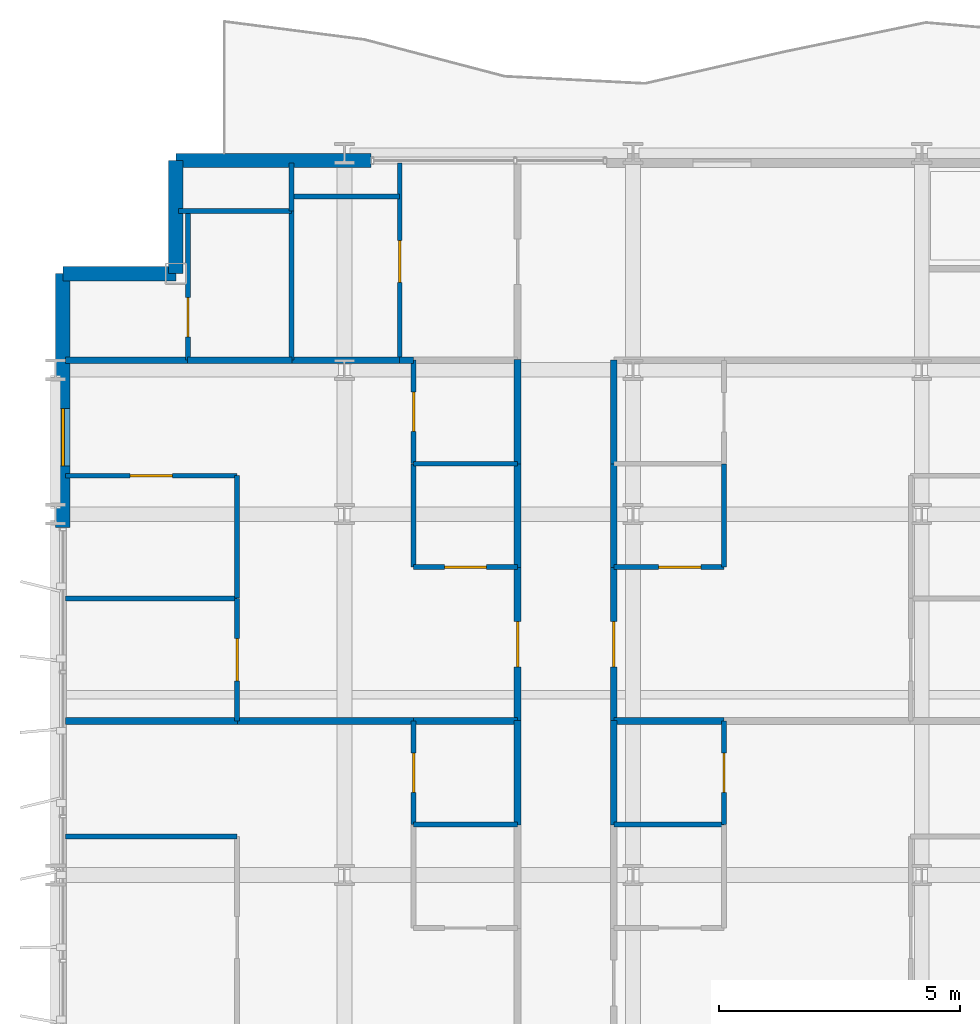
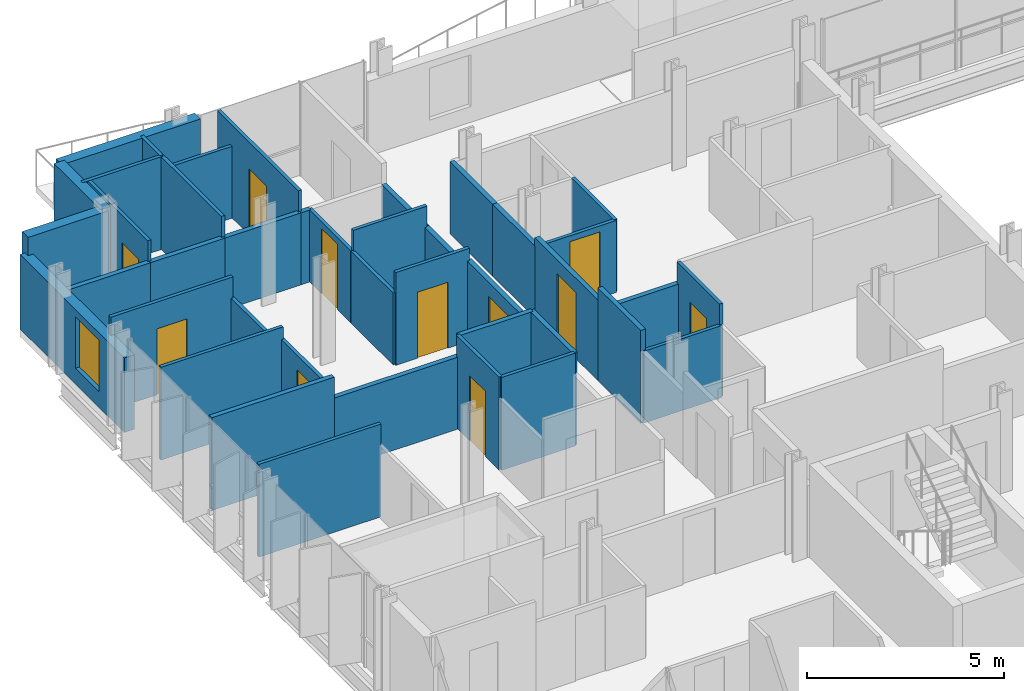
# One storey, part 29 of 39: 41 walls, 11 doors, 1 window, 12 openings.
"""IFC4 building model written with IfcOpenShell, lengths in metres."""

from ifc_helpers import new_model, si_unit, direction, frame, frame_2d, origin, place, context, subcontext, project, spatial, rectangle, extrude, material, layer, layer_set, type_object, element, fill, save


model = new_model("IFC4")

# Units and contexts
model_context = context("Model", 3, precision=1e-05, world=origin(), true_north=direction((0.0, 1.0)))
body_context = subcontext(model_context, "Body", "Model", "MODEL_VIEW")
ifc_project = project(units=[si_unit("LENGTHUNIT", "METRE"), si_unit("AREAUNIT", "SQUARE_METRE"), si_unit("VOLUMEUNIT", "CUBIC_METRE"), si_unit("PLANEANGLEUNIT", "RADIAN"), si_unit("MASSUNIT", "GRAM", prefix="KILO")], contexts=[model_context])

# Site, building, storey
site_placement = place(None, origin())
site = spatial("IfcSite", under=ifc_project, at=site_placement, CompositionType="ELEMENT")
building_placement = place(site_placement, origin())
building = spatial("IfcBuilding", under=site, at=building_placement, Name="Brevholm Reach", CompositionType="ELEMENT")
storey_placement = place(building_placement, frame((0.0, 0.0, 77.60009765625)))
storey = spatial("IfcBuildingStorey", under=building, at=storey_placement, Name="L22", CompositionType="ELEMENT", Elevation=77.60009765625)

# Walls
ifc_material_1 = material(Name="Concrete C40/50", Category="concrete")
ifc_layer_1 = layer(ifc_material_1, 0.300048828125)
ifc_layer_set_1 = layer_set([ifc_layer_1], Name="Concrete C40/50")
wall_type_1 = type_object("IfcWallType", Name="WAL-EXT-300", PredefinedType="STANDARD", material=ifc_layer_set_1)
for number, where, z_axis, x_axis, name in (
    (1, (2.5, 30.85009765625, 0.0), (0.0, 0.0, 1.0), (0.0, -1.0, 0.0), "L22 Facade Wall WAL-L22-CNW1"),
    (2, (2.5, 28.5, 0.0), (0.0, 0.0, 1.0), (-1.0, 0.0, 0.0), "L22 Facade Wall WAL-L22-CNW2"),
):
    element("IfcWall", number, at=place(storey_placement, frame(where, z_axis=z_axis, x_axis=x_axis)), inside=storey, type_object=wall_type_1, Name=name, PredefinedType="STANDARD", context=body_context, shape_type="SweptSolid", body=[
        extrude(rectangle(XDim=2.35009765625, YDim=0.300048828125, at=frame_2d((1.175048828125, 0.0))), origin(), (0.0, 0.0, 1.0), 2.869873046875),
    ])

# Wall, opening, window
wall_1_placement = place(storey_placement, frame((0.14990234375, 28.5, 0.0), z_axis=(0.0, 0.0, 1.0), x_axis=(0.0, -1.0, 0.0)))
wall_1 = element("IfcWall", 3, at=wall_1_placement, inside=storey, type_object=wall_type_1, Name="L22 Facade Wall WAL-L22-W-N", PredefinedType="STANDARD", context=body_context, shape_type="SweptSolid", body=[
    extrude(rectangle(XDim=5.280029296875, YDim=0.300048828125, at=frame_2d((2.64013671875, 0.0))), origin(), (0.0, 0.0, 1.0), 2.305419921875),
])
opening_1_placement = place(wall_1_placement, frame((2.800048828125, 0.0, 0.486083984375)))
opening_1 = element("IfcOpeningElement", 4, at=opening_1_placement, cuts=wall_1, Name="Opening WN-08", PredefinedType="OPENING", context=body_context, shape_type="SweptSolid", body=[
    extrude(rectangle(XDim=1.199951171875, YDim=1.60009765625, at=frame_2d((0.60009765625, 0.800048828125))), frame((0.0, 0.159912109375, 0.0), z_axis=(0.0, -1.0, 0.0), x_axis=(1.0, 0.0, 0.0)), (0.0, 0.0, 1.0), 0.320068359375),
])
ifc_material_2 = material(Name="Dark Anodised Aluminium and Solar-Control IGU Glass", Category="aluminium")
window_type = type_object("IfcWindowType", Name="WIN-RES-1200", PartitioningType="SINGLE_PANEL", PredefinedType="WINDOW", material=ifc_material_2)
window_placement = place(opening_1_placement, origin())
window = element("IfcWindow", 5, at=window_placement, inside=storey, type_object=window_type, Name="L22 Window WIN-L22-WN-1", OverallHeight=1.60009765625, OverallWidth=1.199951171875, PartitioningType="SINGLE_PANEL", PredefinedType="WINDOW", context=body_context, shape_type="SweptSolid", body=[
    extrude(rectangle(XDim=1.199951171875, YDim=1.60009765625, at=frame_2d((0.60009765625, 0.800048828125))), frame((0.0, 0.030029296875, 0.0), z_axis=(0.0, -1.0, 0.0), x_axis=(1.0, 0.0, 0.0)), (0.0, 0.0, 1.0), 0.06005859375),
])
fill(opening_1, window)

# Walls
wall_2_placement = place(storey_placement, frame((2.5, 30.85009765625, 0.0), z_axis=(0.0, 0.0, 1.0), x_axis=(1.0, 0.0, 0.0)))
element("IfcWall", 6, at=wall_2_placement, inside=storey, type_object=wall_type_1, Name="L22 Facade Wall WAL-L22-NP-W0", PredefinedType="STANDARD", context=body_context, shape_type="SweptSolid", body=[
    extrude(rectangle(XDim=4.050048828125, YDim=0.300048828125, at=frame_2d((2.02490234375, 0.0))), origin(), (0.0, 0.0, 1.0), 2.869873046875),
])
ifc_material_3 = material(Name="Moisture-Resistant Acoustic Gypsum Stud Partition 100 mm", Category="gypsum")
ifc_layer_2 = layer(ifc_material_3, 0.10009765625)
ifc_layer_set_2 = layer_set([ifc_layer_2], Name="Moisture-Resistant Acoustic Gypsum Stud Partition 100 mm")
wall_type_2 = type_object("IfcWallType", Name="WAL-PRT-100", PredefinedType="PARTITIONING", material=ifc_layer_set_2)
wall_3_placement = place(storey_placement, frame((7.43798828125, 17.050048828125, 0.0), z_axis=(0.0, 0.0, 1.0), x_axis=(1.0, 0.0, 0.0)))
element("IfcWall", 7, at=wall_3_placement, inside=storey, type_object=wall_type_2, Name="L22 Internal Partition 091", PredefinedType="PARTITIONING", context=body_context, shape_type="SweptSolid", body=[
    extrude(rectangle(XDim=2.157958984375, YDim=0.10009765625, at=frame_2d((1.0791015625, 0.0))), origin(), (0.0, 0.0, 1.0), 2.869873046875),
])

# Wall, opening, door
wall_4_placement = place(storey_placement, frame((7.43798828125, 17.050048828125, 0.0), z_axis=(0.0, 0.0, 1.0), x_axis=(0.0, 1.0, 0.0)))
wall_4 = element("IfcWall", 8, at=wall_4_placement, inside=storey, type_object=wall_type_2, Name="L22 Internal Partition 092", PredefinedType="PARTITIONING", context=body_context, shape_type="SweptSolid", body=[
    extrude(rectangle(XDim=2.14990234375, YDim=0.10009765625, at=frame_2d((1.074951171875, 0.0))), origin(), (0.0, 0.0, 1.0), 2.869873046875),
])
opening_2_placement = place(wall_4_placement, frame((0.6650390625, 0.0, 0.0)))
opening_2 = element("IfcOpeningElement", 9, at=opening_2_placement, cuts=wall_4, Name="Opening ID-03", PredefinedType="OPENING", context=body_context, shape_type="SweptSolid", body=[
    extrude(rectangle(XDim=0.820068359375, YDim=2.02001953125, at=frame_2d((0.41015625, 1.010009765625))), frame((0.0, 0.06005859375, 0.0), z_axis=(0.0, -1.0, 0.0), x_axis=(1.0, 0.0, 0.0)), (0.0, 0.0, 1.0), 0.1201171875),
])
ifc_material_4 = material(Name="Moisture-Resistant Painted Timber Internal Bathroom Door", Category="wood")
door_type_1 = type_object("IfcDoorType", Name="DOR-BATH-820", OperationType="NOTDEFINED", PredefinedType="DOOR", material=ifc_material_4)
door_1_placement = place(opening_2_placement, origin())
door_1 = element("IfcDoor", 10, at=door_1_placement, inside=storey, type_object=door_type_1, Name="L22 Internal Door 036", OperationType="SINGLE_SWING_LEFT", OverallHeight=2.02001953125, OverallWidth=0.820068359375, PredefinedType="DOOR", context=body_context, shape_type="SweptSolid", body=[
    extrude(rectangle(XDim=0.820068359375, YDim=2.02001953125, at=frame_2d((0.41015625, 1.010009765625))), frame((0.0, 0.02490234375, 0.0), z_axis=(0.0, -1.0, 0.0), x_axis=(1.0, 0.0, 0.0)), (0.0, 0.0, 1.0), 0.050048828125),
])
fill(opening_2, door_1)

# Walls
wall_5_placement = place(storey_placement, frame((0.199951171875, 16.800048828125, 0.0), z_axis=(0.0, 0.0, 1.0), x_axis=(1.0, 0.0, 0.0)))
element("IfcWall", 11, at=wall_5_placement, inside=storey, type_object=wall_type_2, Name="L22 Internal Partition 097", PredefinedType="PARTITIONING", context=body_context, shape_type="SweptSolid", body=[
    extrude(rectangle(XDim=3.572021484375, YDim=0.10009765625, at=frame_2d((1.7861328125, 0.0))), origin(), (0.0, 0.0, 1.0), 2.869873046875),
])
wall_6_placement = place(storey_placement, frame((7.43798828125, 24.550048828125, 0.0), z_axis=(0.0, 0.0, 1.0), x_axis=(1.0, 0.0, 0.0)))
element("IfcWall", 12, at=wall_6_placement, inside=storey, type_object=wall_type_2, Name="L22 Internal Partition 100", PredefinedType="PARTITIONING", context=body_context, shape_type="SweptSolid", body=[
    extrude(rectangle(XDim=2.157958984375, YDim=0.10009765625, at=frame_2d((1.0791015625, 0.0))), origin(), (0.0, 0.0, 1.0), 2.869873046875),
])

# Wall, opening, door
wall_7_placement = place(storey_placement, frame((7.43798828125, 24.550048828125, 0.0), z_axis=(0.0, 0.0, 1.0), x_axis=(0.0, 1.0, 0.0)))
wall_7 = element("IfcWall", 13, at=wall_7_placement, inside=storey, type_object=wall_type_2, Name="L22 Internal Partition 101", PredefinedType="PARTITIONING", context=body_context, shape_type="SweptSolid", body=[
    extrude(rectangle(XDim=2.14990234375, YDim=0.10009765625, at=frame_2d((1.074951171875, 0.0))), origin(), (0.0, 0.0, 1.0), 2.224609375),
])
opening_3_placement = place(wall_7_placement, frame((0.6650390625, 0.0, 0.0)))
opening_3 = element("IfcOpeningElement", 14, at=opening_3_placement, cuts=wall_7, Name="Opening ID-03", PredefinedType="OPENING", context=body_context, shape_type="SweptSolid", body=[
    extrude(rectangle(XDim=0.820068359375, YDim=2.02001953125, at=frame_2d((0.41015625, 1.010009765625))), frame((0.0, 0.06005859375, 0.0), z_axis=(0.0, -1.0, 0.0), x_axis=(1.0, 0.0, 0.0)), (0.0, 0.0, 1.0), 0.1201171875),
])
door_2_placement = place(opening_3_placement, origin())
door_2 = element("IfcDoor", 15, at=door_2_placement, inside=storey, type_object=door_type_1, Name="L22 Internal Door 039", OperationType="SINGLE_SWING_RIGHT", OverallHeight=2.02001953125, OverallWidth=0.820068359375, PredefinedType="DOOR", context=body_context, shape_type="SweptSolid", body=[
    extrude(rectangle(XDim=0.820068359375, YDim=2.02001953125, at=frame_2d((0.41015625, 1.010009765625))), frame((0.0, 0.02490234375, 0.0), z_axis=(0.0, -1.0, 0.0), x_axis=(1.0, 0.0, 0.0)), (0.0, 0.0, 1.0), 0.050048828125),
])
fill(opening_3, door_2)

wall_8_placement = place(storey_placement, frame((7.43798828125, 22.39990234375, 0.0), z_axis=(0.0, 0.0, 1.0), x_axis=(1.0, 0.0, 0.0)))
wall_8 = element("IfcWall", 16, at=wall_8_placement, inside=storey, type_object=wall_type_2, Name="L22 Internal Partition 103", PredefinedType="PARTITIONING", context=body_context, shape_type="SweptSolid", body=[
    extrude(rectangle(XDim=2.157958984375, YDim=0.10009765625, at=frame_2d((1.0791015625, 0.0))), origin(), (0.0, 0.0, 1.0), 2.869873046875),
])
opening_4_placement = place(wall_8_placement, frame((0.638916015625, 0.0, 0.0)))
opening_4 = element("IfcOpeningElement", 17, at=opening_4_placement, cuts=wall_8, Name="Opening ID-01", PredefinedType="OPENING", context=body_context, shape_type="SweptSolid", body=[
    extrude(rectangle(XDim=0.8798828125, YDim=2.0400390625, at=frame_2d((0.43994140625, 1.02001953125))), frame((0.0, 0.06005859375, 0.0), z_axis=(0.0, -1.0, 0.0), x_axis=(1.0, 0.0, 0.0)), (0.0, 0.0, 1.0), 0.1201171875),
])
ifc_material_5 = material(Name="Lacquered Ash Solid-Core Acoustic Internal Door", Category="timber")
door_type_2 = type_object("IfcDoorType", Name="DOR-INT-880", OperationType="NOTDEFINED", PredefinedType="DOOR", material=ifc_material_5)
door_3_placement = place(opening_4_placement, origin())
door_3 = element("IfcDoor", 18, at=door_3_placement, inside=storey, type_object=door_type_2, Name="L22 Internal Door 040", OperationType="SINGLE_SWING_LEFT", OverallHeight=2.0400390625, OverallWidth=0.8798828125, PredefinedType="DOOR", context=body_context, shape_type="SweptSolid", body=[
    extrude(rectangle(XDim=0.8798828125, YDim=2.0400390625, at=frame_2d((0.43994140625, 1.02001953125))), frame((0.0, 0.02490234375, 0.0), z_axis=(0.0, -1.0, 0.0), x_axis=(1.0, 0.0, 0.0)), (0.0, 0.0, 1.0), 0.050048828125),
])
fill(opening_4, door_3)

# Walls
wall_9_placement = place(storey_placement, frame((7.43798828125, 22.39990234375, 0.0), z_axis=(0.0, 0.0, 1.0), x_axis=(0.0, 1.0, 0.0)))
element("IfcWall", 19, at=wall_9_placement, inside=storey, type_object=wall_type_2, Name="L22 Internal Partition 104", PredefinedType="PARTITIONING", context=body_context, shape_type="SweptSolid", body=[
    extrude(rectangle(XDim=2.14599609375, YDim=0.10009765625, at=frame_2d((1.072998046875, 0.0))), origin(), (0.0, 0.0, 1.0), 2.224609375),
])
wall_10_placement = place(storey_placement, frame((0.199951171875, 21.75, 0.0), z_axis=(0.0, 0.0, 1.0), x_axis=(1.0, 0.0, 0.0)))
element("IfcWall", 20, at=wall_10_placement, inside=storey, type_object=wall_type_2, Name="L22 Internal Partition 105", PredefinedType="PARTITIONING", context=body_context, shape_type="SweptSolid", body=[
    extrude(rectangle(XDim=3.572021484375, YDim=0.10009765625, at=frame_2d((1.7861328125, 0.0))), origin(), (0.0, 0.0, 1.0), 2.869873046875),
])

# Wall, opening, door
wall_11_placement = place(storey_placement, frame((3.77197265625, 19.2041015625, 0.0), z_axis=(0.0, 0.0, 1.0), x_axis=(0.0, 1.0, 0.0)))
wall_11 = element("IfcWall", 21, at=wall_11_placement, inside=storey, type_object=wall_type_2, Name="L22 Internal Partition 106", PredefinedType="PARTITIONING", context=body_context, shape_type="SweptSolid", body=[
    extrude(rectangle(XDim=2.5458984375, YDim=0.10009765625, at=frame_2d((1.27294921875, 0.0))), origin(), (0.0, 0.0, 1.0), 2.489990234375),
])
opening_5_placement = place(wall_11_placement, frame((0.8330078125, 0.0, 0.0)))
opening_5 = element("IfcOpeningElement", 22, at=opening_5_placement, cuts=wall_11, Name="Opening ID-01", PredefinedType="OPENING", context=body_context, shape_type="SweptSolid", body=[
    extrude(rectangle(XDim=0.8798828125, YDim=2.0400390625, at=frame_2d((0.43994140625, 1.02001953125))), frame((0.0, 0.06005859375, 0.0), z_axis=(0.0, -1.0, 0.0), x_axis=(1.0, 0.0, 0.0)), (0.0, 0.0, 1.0), 0.1201171875),
])
door_4_placement = place(opening_5_placement, origin())
door_4 = element("IfcDoor", 23, at=door_4_placement, inside=storey, type_object=door_type_2, Name="L22 Internal Door 041", OperationType="SINGLE_SWING_RIGHT", OverallHeight=2.0400390625, OverallWidth=0.8798828125, PredefinedType="DOOR", context=body_context, shape_type="SweptSolid", body=[
    extrude(rectangle(XDim=0.8798828125, YDim=2.0400390625, at=frame_2d((0.43994140625, 1.02001953125))), frame((0.0, 0.02490234375, 0.0), z_axis=(0.0, -1.0, 0.0), x_axis=(1.0, 0.0, 0.0)), (0.0, 0.0, 1.0), 0.050048828125),
])
fill(opening_5, door_4)

# Wall
wall_12_placement = place(storey_placement, frame((3.77197265625, 21.75390625, 0.0), z_axis=(0.0, 0.0, 1.0), x_axis=(0.0, 1.0, 0.0)))
element("IfcWall", 24, at=wall_12_placement, inside=storey, type_object=wall_type_2, Name="L22 Internal Partition 107", PredefinedType="PARTITIONING", context=body_context, shape_type="SweptSolid", body=[
    extrude(rectangle(XDim=2.546142578125, YDim=0.10009765625, at=frame_2d((1.27294921875, 0.0))), origin(), (0.0, 0.0, 1.0), 2.224609375),
])

# Wall, opening, door
wall_13_placement = place(storey_placement, frame((0.199951171875, 24.300048828125, 0.0), z_axis=(0.0, 0.0, 1.0), x_axis=(1.0, 0.0, 0.0)))
wall_13 = element("IfcWall", 25, at=wall_13_placement, inside=storey, type_object=wall_type_2, Name="L22 Internal Partition 108", PredefinedType="PARTITIONING", context=body_context, shape_type="SweptSolid", body=[
    extrude(rectangle(XDim=3.572021484375, YDim=0.10009765625, at=frame_2d((1.7861328125, 0.0))), origin(), (0.0, 0.0, 1.0), 2.869873046875),
])
opening_6_placement = place(wall_13_placement, frame((1.345947265625, 0.0, 0.0)))
opening_6 = element("IfcOpeningElement", 26, at=opening_6_placement, cuts=wall_13, Name="Opening ID-01", PredefinedType="OPENING", context=body_context, shape_type="SweptSolid", body=[
    extrude(rectangle(XDim=0.8798828125, YDim=2.0400390625, at=frame_2d((0.43994140625, 1.02001953125))), frame((0.0, 0.06005859375, 0.0), z_axis=(0.0, -1.0, 0.0), x_axis=(1.0, 0.0, 0.0)), (0.0, 0.0, 1.0), 0.1201171875),
])
door_5_placement = place(opening_6_placement, origin())
door_5 = element("IfcDoor", 27, at=door_5_placement, inside=storey, type_object=door_type_2, Name="L22 Internal Door 042", OperationType="SINGLE_SWING_LEFT", OverallHeight=2.0400390625, OverallWidth=0.8798828125, PredefinedType="DOOR", context=body_context, shape_type="SweptSolid", body=[
    extrude(rectangle(XDim=0.8798828125, YDim=2.0400390625, at=frame_2d((0.43994140625, 1.02001953125))), frame((0.0, 0.02490234375, 0.0), z_axis=(0.0, -1.0, 0.0), x_axis=(1.0, 0.0, 0.0)), (0.0, 0.0, 1.0), 0.050048828125),
])
fill(opening_6, door_5)

# Wall
wall_14_placement = place(storey_placement, frame((11.60400390625, 17.050048828125, 0.0), z_axis=(0.0, 0.0, 1.0), x_axis=(1.0, 0.0, 0.0)))
element("IfcWall", 28, at=wall_14_placement, inside=storey, type_object=wall_type_2, Name="L22 Internal Partition 113", PredefinedType="PARTITIONING", context=body_context, shape_type="SweptSolid", body=[
    extrude(rectangle(XDim=2.284912109375, YDim=0.10009765625, at=frame_2d((1.142578125, 0.0))), origin(), (0.0, 0.0, 1.0), 2.224609375),
])

# Wall, opening, door
wall_15_placement = place(storey_placement, frame((13.888916015625, 17.050048828125, 0.0), z_axis=(0.0, 0.0, 1.0), x_axis=(0.0, 1.0, 0.0)))
wall_15 = element("IfcWall", 29, at=wall_15_placement, inside=storey, type_object=wall_type_2, Name="L22 Internal Partition 114", PredefinedType="PARTITIONING", context=body_context, shape_type="SweptSolid", body=[
    extrude(rectangle(XDim=2.14990234375, YDim=0.10009765625, at=frame_2d((1.074951171875, 0.0))), origin(), (0.0, 0.0, 1.0), 2.869873046875),
])
opening_7_placement = place(wall_15_placement, frame((0.6650390625, 0.0, 0.0)))
opening_7 = element("IfcOpeningElement", 30, at=opening_7_placement, cuts=wall_15, Name="Opening ID-03", PredefinedType="OPENING", context=body_context, shape_type="SweptSolid", body=[
    extrude(rectangle(XDim=0.820068359375, YDim=2.02001953125, at=frame_2d((0.41015625, 1.010009765625))), frame((0.0, 0.06005859375, 0.0), z_axis=(0.0, -1.0, 0.0), x_axis=(1.0, 0.0, 0.0)), (0.0, 0.0, 1.0), 0.1201171875),
])
door_6_placement = place(opening_7_placement, origin())
door_6 = element("IfcDoor", 31, at=door_6_placement, inside=storey, type_object=door_type_1, Name="L22 Internal Door 043", OperationType="SINGLE_SWING_RIGHT", OverallHeight=2.02001953125, OverallWidth=0.820068359375, PredefinedType="DOOR", context=body_context, shape_type="SweptSolid", body=[
    extrude(rectangle(XDim=0.820068359375, YDim=2.02001953125, at=frame_2d((0.41015625, 1.010009765625))), frame((0.0, 0.02490234375, 0.0), z_axis=(0.0, -1.0, 0.0), x_axis=(1.0, 0.0, 0.0)), (0.0, 0.0, 1.0), 0.050048828125),
])
fill(opening_7, door_6)

wall_16_placement = place(storey_placement, frame((11.60400390625, 22.39990234375, 0.0), z_axis=(0.0, 0.0, 1.0), x_axis=(1.0, 0.0, 0.0)))
wall_16 = element("IfcWall", 32, at=wall_16_placement, inside=storey, type_object=wall_type_2, Name="L22 Internal Partition 124", PredefinedType="PARTITIONING", context=body_context, shape_type="SweptSolid", body=[
    extrude(rectangle(XDim=2.284912109375, YDim=0.10009765625, at=frame_2d((1.142578125, 0.0))), origin(), (0.0, 0.0, 1.0), 2.224609375),
])
opening_8_placement = place(wall_16_placement, frame((0.922607421875, 0.0, 0.0)))
opening_8 = element("IfcOpeningElement", 33, at=opening_8_placement, cuts=wall_16, Name="Opening ID-01", PredefinedType="OPENING", context=body_context, shape_type="SweptSolid", body=[
    extrude(rectangle(XDim=0.8798828125, YDim=2.0400390625, at=frame_2d((0.43994140625, 1.02001953125))), frame((0.0, 0.06005859375, 0.0), z_axis=(0.0, -1.0, 0.0), x_axis=(1.0, 0.0, 0.0)), (0.0, 0.0, 1.0), 0.1201171875),
])
door_7_placement = place(opening_8_placement, origin())
door_7 = element("IfcDoor", 34, at=door_7_placement, inside=storey, type_object=door_type_2, Name="L22 Internal Door 047", OperationType="SINGLE_SWING_RIGHT", OverallHeight=2.0400390625, OverallWidth=0.8798828125, PredefinedType="DOOR", context=body_context, shape_type="SweptSolid", body=[
    extrude(rectangle(XDim=0.8798828125, YDim=2.0400390625, at=frame_2d((0.43994140625, 1.02001953125))), frame((0.0, 0.02490234375, 0.0), z_axis=(0.0, -1.0, 0.0), x_axis=(1.0, 0.0, 0.0)), (0.0, 0.0, 1.0), 0.050048828125),
])
fill(opening_8, door_7)

# Walls
wall_17_placement = place(storey_placement, frame((13.888916015625, 22.39990234375, 0.0), z_axis=(0.0, 0.0, 1.0), x_axis=(0.0, 1.0, 0.0)))
element("IfcWall", 35, at=wall_17_placement, inside=storey, type_object=wall_type_2, Name="L22 Internal Partition 125", PredefinedType="PARTITIONING", context=body_context, shape_type="SweptSolid", body=[
    extrude(rectangle(XDim=2.14599609375, YDim=0.10009765625, at=frame_2d((1.072998046875, 0.0))), origin(), (0.0, 0.0, 1.0), 2.224609375),
])
wall_18_placement = place(storey_placement, frame((4.89990234375, 26.7041015625, 0.0), z_axis=(0.0, 0.0, 1.0), x_axis=(0.0, 1.0, 0.0)))
element("IfcWall", 36, at=wall_18_placement, inside=storey, type_object=wall_type_2, Name="L22 Internal Partition 169", PredefinedType="PARTITIONING", context=body_context, shape_type="SweptSolid", body=[
    extrude(rectangle(XDim=3.095947265625, YDim=0.10009765625, at=frame_2d((1.5478515625, 0.0))), origin(), (0.0, 0.0, 1.0), 2.869873046875),
])
wall_19_placement = place(storey_placement, frame((2.550048828125, 29.800048828125, 0.0), z_axis=(0.0, 0.0, 1.0), x_axis=(1.0, 0.0, 0.0)))
element("IfcWall", 37, at=wall_19_placement, inside=storey, type_object=wall_type_2, Name="L22 Internal Partition 170", PredefinedType="PARTITIONING", context=body_context, shape_type="SweptSolid", body=[
    extrude(rectangle(XDim=2.349853515625, YDim=0.10009765625, at=frame_2d((1.1748046875, 0.0))), origin(), (0.0, 0.0, 1.0), 2.869873046875),
])

# Wall, opening, door
wall_20_placement = place(storey_placement, frame((2.75, 26.7041015625, 0.0), z_axis=(0.0, 0.0, 1.0), x_axis=(0.0, 1.0, 0.0)))
wall_20 = element("IfcWall", 38, at=wall_20_placement, inside=storey, type_object=wall_type_2, Name="L22 Internal Partition 171", PredefinedType="PARTITIONING", context=body_context, shape_type="SweptSolid", body=[
    extrude(rectangle(XDim=3.095947265625, YDim=0.10009765625, at=frame_2d((1.5478515625, 0.0))), origin(), (0.0, 0.0, 1.0), 2.869873046875),
])
opening_9_placement = place(wall_20_placement, frame((0.47802734375, 0.0, 0.0)))
opening_9 = element("IfcOpeningElement", 39, at=opening_9_placement, cuts=wall_20, Name="Opening ID-03", PredefinedType="OPENING", context=body_context, shape_type="SweptSolid", body=[
    extrude(rectangle(XDim=0.820068359375, YDim=2.02001953125, at=frame_2d((0.41015625, 1.010009765625))), frame((0.0, 0.06005859375, 0.0), z_axis=(0.0, -1.0, 0.0), x_axis=(1.0, 0.0, 0.0)), (0.0, 0.0, 1.0), 0.1201171875),
])
door_8_placement = place(opening_9_placement, origin())
door_8 = element("IfcDoor", 40, at=door_8_placement, inside=storey, type_object=door_type_1, Name="L22 Internal Door 064", OperationType="SINGLE_SWING_LEFT", OverallHeight=2.02001953125, OverallWidth=0.820068359375, PredefinedType="DOOR", context=body_context, shape_type="SweptSolid", body=[
    extrude(rectangle(XDim=0.820068359375, YDim=2.02001953125, at=frame_2d((0.41015625, 1.010009765625))), frame((0.0, 0.02490234375, 0.0), z_axis=(0.0, -1.0, 0.0), x_axis=(1.0, 0.0, 0.0)), (0.0, 0.0, 1.0), 0.050048828125),
])
fill(opening_9, door_8)

wall_21_placement = place(storey_placement, frame((7.14990234375, 26.7041015625, 0.0), z_axis=(0.0, 0.0, 1.0), x_axis=(0.0, 1.0, 0.0)))
wall_21 = element("IfcWall", 41, at=wall_21_placement, inside=storey, type_object=wall_type_2, Name="L22 Internal Partition 172", PredefinedType="PARTITIONING", context=body_context, shape_type="SweptSolid", body=[
    extrude(rectangle(XDim=4.095947265625, YDim=0.10009765625, at=frame_2d((2.0478515625, 0.0))), origin(), (0.0, 0.0, 1.0), 2.869873046875),
])
opening_10_placement = place(wall_21_placement, frame((1.60791015625, 0.0, 0.0)))
opening_10 = element("IfcOpeningElement", 42, at=opening_10_placement, cuts=wall_21, Name="Opening ID-01", PredefinedType="OPENING", context=body_context, shape_type="SweptSolid", body=[
    extrude(rectangle(XDim=0.8798828125, YDim=2.0400390625, at=frame_2d((0.43994140625, 1.02001953125))), frame((0.0, 0.06005859375, 0.0), z_axis=(0.0, -1.0, 0.0), x_axis=(1.0, 0.0, 0.0)), (0.0, 0.0, 1.0), 0.1201171875),
])
door_9_placement = place(opening_10_placement, origin())
door_9 = element("IfcDoor", 43, at=door_9_placement, inside=storey, type_object=door_type_2, Name="L22 Internal Door 065", OperationType="SINGLE_SWING_RIGHT", OverallHeight=2.0400390625, OverallWidth=0.8798828125, PredefinedType="DOOR", context=body_context, shape_type="SweptSolid", body=[
    extrude(rectangle(XDim=0.8798828125, YDim=2.0400390625, at=frame_2d((0.43994140625, 1.02001953125))), frame((0.0, 0.02490234375, 0.0), z_axis=(0.0, -1.0, 0.0), x_axis=(1.0, 0.0, 0.0)), (0.0, 0.0, 1.0), 0.050048828125),
])
fill(opening_10, door_9)

# Walls
wall_22_placement = place(storey_placement, frame((4.89990234375, 30.10009765625, 0.0), z_axis=(0.0, 0.0, 1.0), x_axis=(1.0, 0.0, 0.0)))
element("IfcWall", 44, at=wall_22_placement, inside=storey, type_object=wall_type_2, Name="L22 Internal Partition 173", PredefinedType="PARTITIONING", context=body_context, shape_type="SweptSolid", body=[
    extrude(rectangle(XDim=2.25, YDim=0.10009765625, at=frame_2d((1.125, 0.0))), origin(), (0.0, 0.0, 1.0), 2.224609375),
])
wall_23_placement = place(storey_placement, frame((4.89990234375, 29.803955078125, 0.0), z_axis=(0.0, 0.0, 1.0), x_axis=(0.0, 1.0, 0.0)))
element("IfcWall", 45, at=wall_23_placement, inside=storey, type_object=wall_type_2, Name="L22 Internal Partition 174", PredefinedType="PARTITIONING", context=body_context, shape_type="SweptSolid", body=[
    extrude(rectangle(XDim=0.99609375, YDim=0.10009765625, at=frame_2d((0.498046875, 0.0))), origin(), (0.0, 0.0, 1.0), 2.869873046875),
])
ifc_material_6 = material(Name="Twin-Stud Acoustic Fire-Rated Gypsum Partition 140 mm", Category="gypsum")
ifc_layer_3 = layer(ifc_material_6, 0.139892578125)
ifc_layer_set_3 = layer_set([ifc_layer_3], Name="Twin-Stud Acoustic Fire-Rated Gypsum Partition 140 mm")
wall_type_3 = type_object("IfcWallType", Name="WAL-PRT-140", PredefinedType="PARTITIONING", material=ifc_layer_set_3)
wall_24_placement = place(storey_placement, frame((9.60009765625, 17.038818359375, 0.0), z_axis=(0.0, 0.0, 1.0), x_axis=(0.0, 1.0, 0.0)))
element("IfcWall", 46, at=wall_24_placement, inside=storey, type_object=wall_type_3, Name="L22 Internal Partition 033", PredefinedType="PARTITIONING", context=body_context, shape_type="SweptSolid", body=[
    extrude(rectangle(XDim=2.17236328125, YDim=0.139892578125, at=frame_2d((1.086181640625, 0.0))), origin(), (0.0, 0.0, 1.0), 2.869873046875),
])
wall_25_placement = place(storey_placement, frame((9.60009765625, 24.538818359375, 0.0), z_axis=(0.0, 0.0, 1.0), x_axis=(0.0, 1.0, 0.0)))
element("IfcWall", 47, at=wall_25_placement, inside=storey, type_object=wall_type_3, Name="L22 Internal Partition 036", PredefinedType="PARTITIONING", context=body_context, shape_type="SweptSolid", body=[
    extrude(rectangle(XDim=2.17236328125, YDim=0.139892578125, at=frame_2d((1.086181640625, 0.0))), origin(), (0.0, 0.0, 1.0), 2.224609375),
])
wall_26_placement = place(storey_placement, frame((9.60009765625, 22.388671875, 0.0), z_axis=(0.0, 0.0, 1.0), x_axis=(0.0, 1.0, 0.0)))
element("IfcWall", 48, at=wall_26_placement, inside=storey, type_object=wall_type_3, Name="L22 Internal Partition 037", PredefinedType="PARTITIONING", context=body_context, shape_type="SweptSolid", body=[
    extrude(rectangle(XDim=2.168701171875, YDim=0.139892578125, at=frame_2d((1.08447265625, 0.0))), origin(), (0.0, 0.0, 1.0), 2.224609375),
])

# Wall, opening, door
wall_27_placement = place(storey_placement, frame((9.60009765625, 19.192626953125, 0.0), z_axis=(0.0, 0.0, 1.0), x_axis=(0.0, 1.0, 0.0)))
wall_27 = element("IfcWall", 49, at=wall_27_placement, inside=storey, type_object=wall_type_3, Name="L22 Internal Partition 038", PredefinedType="PARTITIONING", context=body_context, shape_type="SweptSolid", body=[
    extrude(rectangle(XDim=3.214599609375, YDim=0.139892578125, at=frame_2d((1.607421875, 0.0))), origin(), (0.0, 0.0, 1.0), 2.489990234375),
])
opening_11_placement = place(wall_27_placement, frame((1.13232421875, 0.0, 0.0)))
opening_11 = element("IfcOpeningElement", 50, at=opening_11_placement, cuts=wall_27, Name="Opening ID-30", PredefinedType="OPENING", context=body_context, shape_type="SweptSolid", body=[
    extrude(rectangle(XDim=0.949951171875, YDim=2.050048828125, at=frame_2d((0.47509765625, 1.02490234375))), frame((0.0, 0.079833984375, 0.0), z_axis=(0.0, -1.0, 0.0), x_axis=(1.0, 0.0, 0.0)), (0.0, 0.0, 1.0), 0.159912109375),
])
ifc_material_7 = material(Name="European Oak Veneered Solid-Core Fire Entrance Door", Category="timber")
door_type_3 = type_object("IfcDoorType", Name="DOR-FLT-FD30S", OperationType="NOTDEFINED", PredefinedType="DOOR", material=ifc_material_7)
door_10_placement = place(opening_11_placement, origin())
door_10 = element("IfcDoor", 51, at=door_10_placement, inside=storey, type_object=door_type_3, Name="L22 Internal Door 018", OperationType="SINGLE_SWING_LEFT", OverallHeight=2.050048828125, OverallWidth=0.949951171875, PredefinedType="DOOR", context=body_context, shape_type="SweptSolid", body=[
    extrude(rectangle(XDim=0.949951171875, YDim=2.050048828125, at=frame_2d((0.47509765625, 1.02490234375))), frame((0.0, 0.02490234375, 0.0), z_axis=(0.0, -1.0, 0.0), x_axis=(1.0, 0.0, 0.0)), (0.0, 0.0, 1.0), 0.050048828125),
])
fill(opening_11, door_10)

# Walls
wall_28_placement = place(storey_placement, frame((11.60009765625, 17.038818359375, 0.0), z_axis=(0.0, 0.0, 1.0), x_axis=(0.0, 1.0, 0.0)))
element("IfcWall", 52, at=wall_28_placement, inside=storey, type_object=wall_type_3, Name="L22 Internal Partition 039", PredefinedType="PARTITIONING", context=body_context, shape_type="SweptSolid", body=[
    extrude(rectangle(XDim=2.17236328125, YDim=0.139892578125, at=frame_2d((1.086181640625, 0.0))), origin(), (0.0, 0.0, 1.0), 2.869873046875),
])
wall_29_placement = place(storey_placement, frame((11.60009765625, 24.538818359375, 0.0), z_axis=(0.0, 0.0, 1.0), x_axis=(0.0, 1.0, 0.0)))
element("IfcWall", 53, at=wall_29_placement, inside=storey, type_object=wall_type_3, Name="L22 Internal Partition 042", PredefinedType="PARTITIONING", context=body_context, shape_type="SweptSolid", body=[
    extrude(rectangle(XDim=2.16845703125, YDim=0.139892578125, at=frame_2d((1.084228515625, 0.0))), origin(), (0.0, 0.0, 1.0), 2.224609375),
])
wall_30_placement = place(storey_placement, frame((11.60009765625, 22.388671875, 0.0), z_axis=(0.0, 0.0, 1.0), x_axis=(0.0, 1.0, 0.0)))
element("IfcWall", 54, at=wall_30_placement, inside=storey, type_object=wall_type_3, Name="L22 Internal Partition 043", PredefinedType="PARTITIONING", context=body_context, shape_type="SweptSolid", body=[
    extrude(rectangle(XDim=2.168701171875, YDim=0.139892578125, at=frame_2d((1.08447265625, 0.0))), origin(), (0.0, 0.0, 1.0), 2.224609375),
])

# Wall, opening, door
wall_31_placement = place(storey_placement, frame((11.60009765625, 19.192626953125, 0.0), z_axis=(0.0, 0.0, 1.0), x_axis=(0.0, 1.0, 0.0)))
wall_31 = element("IfcWall", 55, at=wall_31_placement, inside=storey, type_object=wall_type_3, Name="L22 Internal Partition 044", PredefinedType="PARTITIONING", context=body_context, shape_type="SweptSolid", body=[
    extrude(rectangle(XDim=3.214599609375, YDim=0.139892578125, at=frame_2d((1.607421875, 0.0))), origin(), (0.0, 0.0, 1.0), 2.489990234375),
])
opening_12_placement = place(wall_31_placement, frame((1.13232421875, 0.0, 0.0)))
opening_12 = element("IfcOpeningElement", 56, at=opening_12_placement, cuts=wall_31, Name="Opening ID-30", PredefinedType="OPENING", context=body_context, shape_type="SweptSolid", body=[
    extrude(rectangle(XDim=0.949951171875, YDim=2.050048828125, at=frame_2d((0.47509765625, 1.02490234375))), frame((0.0, 0.079833984375, 0.0), z_axis=(0.0, -1.0, 0.0), x_axis=(1.0, 0.0, 0.0)), (0.0, 0.0, 1.0), 0.159912109375),
])
door_11_placement = place(opening_12_placement, origin())
door_11 = element("IfcDoor", 57, at=door_11_placement, inside=storey, type_object=door_type_3, Name="L22 Internal Door 020", OperationType="SINGLE_SWING_LEFT", OverallHeight=2.050048828125, OverallWidth=0.949951171875, PredefinedType="DOOR", context=body_context, shape_type="SweptSolid", body=[
    extrude(rectangle(XDim=0.949951171875, YDim=2.050048828125, at=frame_2d((0.47509765625, 1.02490234375))), frame((0.0, 0.02490234375, 0.0), z_axis=(0.0, -1.0, 0.0), x_axis=(1.0, 0.0, 0.0)), (0.0, 0.0, 1.0), 0.050048828125),
])
fill(opening_12, door_11)

# Walls
wall_32_placement = place(storey_placement, frame((7.43798828125, 19.199951171875, 0.0), z_axis=(0.0, 0.0, 1.0), x_axis=(1.0, 0.0, 0.0)))
element("IfcWall", 58, at=wall_32_placement, inside=storey, type_object=wall_type_3, Name="L22 Internal Partition 093", PredefinedType="PARTITIONING", context=body_context, shape_type="SweptSolid", body=[
    extrude(rectangle(XDim=2.157958984375, YDim=0.139892578125, at=frame_2d((1.0791015625, 0.0))), origin(), (0.0, 0.0, 1.0), 2.869873046875),
])
wall_33_placement = place(storey_placement, frame((0.199951171875, 19.199951171875, 0.0), z_axis=(0.0, 0.0, 1.0), x_axis=(1.0, 0.0, 0.0)))
element("IfcWall", 59, at=wall_33_placement, inside=storey, type_object=wall_type_3, Name="L22 Internal Partition 098", PredefinedType="PARTITIONING", context=body_context, shape_type="SweptSolid", body=[
    extrude(rectangle(XDim=3.583251953125, YDim=0.139892578125, at=frame_2d((1.79150390625, 0.0))), origin(), (0.0, 0.0, 1.0), 2.869873046875),
])
wall_34_placement = place(storey_placement, frame((3.7646484375, 19.199951171875, 0.0), z_axis=(0.0, 0.0, 1.0), x_axis=(1.0, 0.0, 0.0)))
element("IfcWall", 60, at=wall_34_placement, inside=storey, type_object=wall_type_3, Name="L22 Internal Partition 099", PredefinedType="PARTITIONING", context=body_context, shape_type="SweptSolid", body=[
    extrude(rectangle(XDim=3.66943359375, YDim=0.139892578125, at=frame_2d((1.834716796875, 0.0))), origin(), (0.0, 0.0, 1.0), 2.224609375),
])
wall_35_placement = place(storey_placement, frame((2.73876953125, 26.699951171875, 0.0), z_axis=(0.0, 0.0, 1.0), x_axis=(1.0, 0.0, 0.0)))
element("IfcWall", 61, at=wall_35_placement, inside=storey, type_object=wall_type_3, Name="L22 Internal Partition 109", PredefinedType="PARTITIONING", context=body_context, shape_type="SweptSolid", body=[
    extrude(rectangle(XDim=2.172607421875, YDim=0.139892578125, at=frame_2d((1.08642578125, 0.0))), origin(), (0.0, 0.0, 1.0), 2.224609375),
])
wall_36_placement = place(storey_placement, frame((4.892578125, 26.699951171875, 0.0), z_axis=(0.0, 0.0, 1.0), x_axis=(1.0, 0.0, 0.0)))
element("IfcWall", 62, at=wall_36_placement, inside=storey, type_object=wall_type_3, Name="L22 Internal Partition 110", PredefinedType="PARTITIONING", context=body_context, shape_type="SweptSolid", body=[
    extrude(rectangle(XDim=2.268798828125, YDim=0.139892578125, at=frame_2d((1.13427734375, 0.0))), origin(), (0.0, 0.0, 1.0), 2.224609375),
])
wall_37_placement = place(storey_placement, frame((7.142578125, 26.699951171875, 0.0), z_axis=(0.0, 0.0, 1.0), x_axis=(1.0, 0.0, 0.0)))
element("IfcWall", 63, at=wall_37_placement, inside=storey, type_object=wall_type_3, Name="L22 Internal Partition 111", PredefinedType="PARTITIONING", context=body_context, shape_type="SweptSolid", body=[
    extrude(rectangle(XDim=0.29150390625, YDim=0.139892578125, at=frame_2d((0.145751953125, 0.0))), origin(), (0.0, 0.0, 1.0), 2.224609375),
])
wall_38_placement = place(storey_placement, frame((0.199951171875, 26.699951171875, 0.0), z_axis=(0.0, 0.0, 1.0), x_axis=(1.0, 0.0, 0.0)))
element("IfcWall", 64, at=wall_38_placement, inside=storey, type_object=wall_type_3, Name="L22 Internal Partition 112", PredefinedType="PARTITIONING", context=body_context, shape_type="SweptSolid", body=[
    extrude(rectangle(XDim=2.557373046875, YDim=0.139892578125, at=frame_2d((1.27880859375, 0.0))), origin(), (0.0, 0.0, 1.0), 2.224609375),
])
wall_39_placement = place(storey_placement, frame((11.60400390625, 19.199951171875, 0.0), z_axis=(0.0, 0.0, 1.0), x_axis=(1.0, 0.0, 0.0)))
element("IfcWall", 65, at=wall_39_placement, inside=storey, type_object=wall_type_3, Name="L22 Internal Partition 115", PredefinedType="PARTITIONING", context=body_context, shape_type="SweptSolid", body=[
    extrude(rectangle(XDim=2.284912109375, YDim=0.139892578125, at=frame_2d((1.142578125, 0.0))), origin(), (0.0, 0.0, 1.0), 2.224609375),
])

save(model, "model.ifc")
